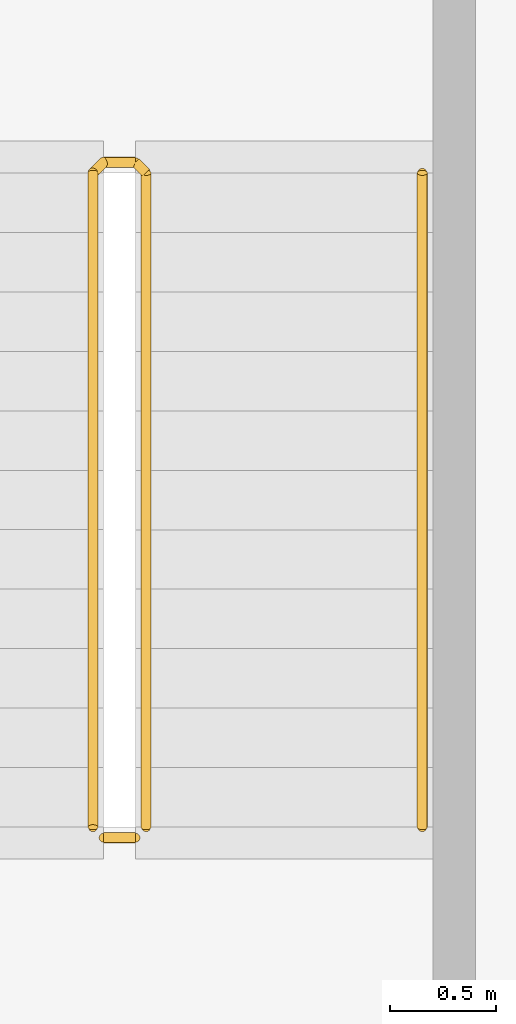
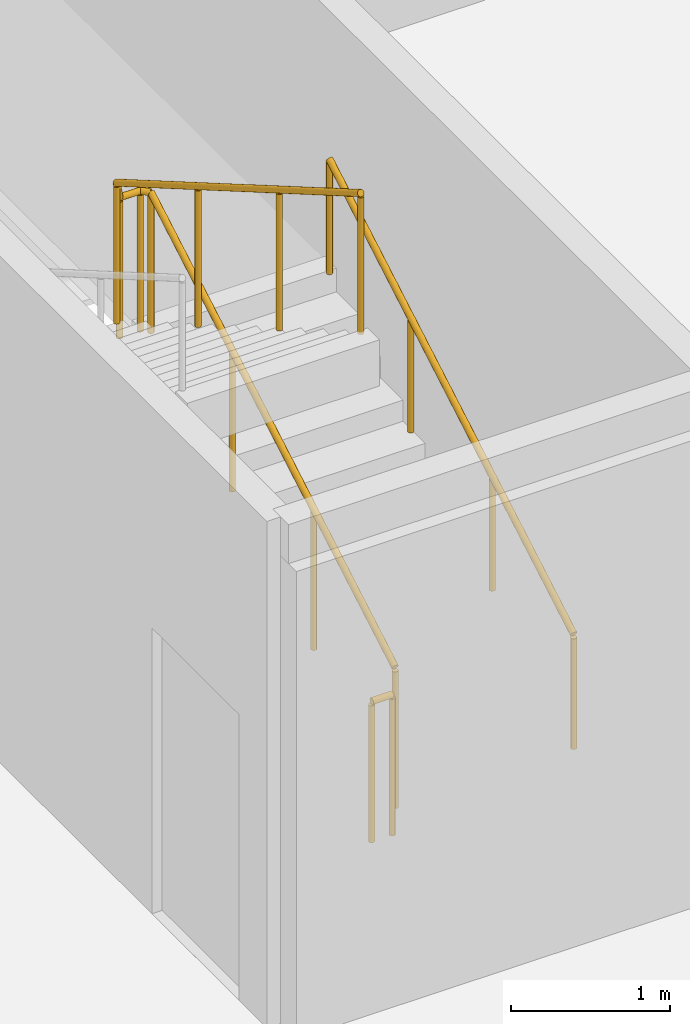
# One storey, part 25 of 27: 3 railings.
"""IFC4 building model written with IfcOpenShell, lengths in metres."""

from ifc_helpers import new_model, si_unit, direction, frame, origin, origin_2d, place, context, subcontext, project, spatial, circle, extrude, material, type_object, element, save


model = new_model("IFC4")

# Units and contexts
model_context = context("Model", 3, precision=1e-05, world=origin(), true_north=direction((0.0, 1.0)))
body_context = subcontext(model_context, "Body", "Model", "MODEL_VIEW")
ifc_project = project(units=[si_unit("LENGTHUNIT", "METRE"), si_unit("AREAUNIT", "SQUARE_METRE"), si_unit("VOLUMEUNIT", "CUBIC_METRE"), si_unit("PLANEANGLEUNIT", "RADIAN"), si_unit("MASSUNIT", "GRAM", prefix="KILO")], contexts=[model_context])

# Site, building, storey
site_placement = place(None, origin())
site = spatial("IfcSite", under=ifc_project, at=site_placement, CompositionType="ELEMENT")
building_placement = place(site_placement, origin())
building = spatial("IfcBuilding", under=site, at=building_placement, Name="Kheshtan School and Residences Tower", CompositionType="ELEMENT")
storey_placement = place(building_placement, frame((0.0, 0.0, 152.60009765625)))
storey = spatial("IfcBuildingStorey", under=building, at=storey_placement, Name="L35", CompositionType="ELEMENT", Elevation=152.60009765625)

# Railings
ifc_material_1 = material(Name="Stainless steel balustrade", Category="steel")
railing_type_1 = type_object("IfcRailingType", Name="Stair guard 1100", PredefinedType="GUARDRAIL", material=ifc_material_1)
railing_1_placement = place(storey_placement, frame((35.0, 80.89990234375, 0.162353515625)))
element("IfcRailing", 1, at=railing_1_placement, inside=storey, type_object=railing_type_1, Name="L35 ST3 stair guard 1", PredefinedType="GUARDRAIL", context=body_context, shape_type="SweptSolid", body=[
    extrude(circle(Radius=0.02392578125, at=origin_2d()), frame((0.0, 0.0, 1.076171875), z_axis=(0.0, 0.864890721111, 0.501960198159), x_axis=(-1.0, 0.0, 0.0)), (0.0, 0.0, 1.0), 3.561279296875),
    extrude(circle(Radius=0.02392578125, at=origin_2d()), frame((0.0, 3.080078125, 2.86376953125), z_axis=(-0.707106781187, 0.707106781187, 0.0), x_axis=(-0.707106781187, -0.707106781187, 0.0)), (0.0, 0.0, 1.0), 0.07080078125),
    extrude(circle(Radius=0.02392578125, at=origin_2d()), frame((-0.050048828125, 3.130126953125, 2.86376953125), z_axis=(-1.0, 0.0, 0.0), x_axis=(0.0, -1.0, 0.0)), (0.0, 0.0, 1.0), 0.14990234375),
    extrude(circle(Radius=0.02392578125, at=origin_2d()), frame((-0.199951171875, 3.130126953125, 2.86376953125), z_axis=(-0.282583949758, -0.282583949758, 0.916674763849), x_axis=(0.707106781187, -0.707106781187, 0.0)), (0.0, 0.0, 1.0), 0.177001953125),
    extrude(circle(Radius=0.02392578125, at=origin_2d()), frame((-0.25, 3.080078125, 3.02587890625), z_axis=(0.0, -0.864890721111, 0.501960198159), x_axis=(1.0, 0.0, 0.0)), (0.0, 0.0, 1.0), 3.561279296875),
    extrude(circle(Radius=0.02099609375, at=origin_2d()), origin(), (0.0, 0.0, 1.0), 1.052001953125),
    extrude(circle(Radius=0.02099609375, at=origin_2d()), frame((0.0, 1.026611328125, 0.595947265625)), (0.0, 0.0, 1.0), 1.052001953125),
    extrude(circle(Radius=0.02099609375, at=origin_2d()), frame((0.0, 2.053466796875, 1.191650390625)), (0.0, 0.0, 1.0), 1.052001953125),
    extrude(circle(Radius=0.02099609375, at=origin_2d()), frame((0.0, 3.080078125, 1.78759765625)), (0.0, 0.0, 1.0), 1.052001953125),
    extrude(circle(Radius=0.02099609375, at=origin_2d()), frame((-0.050048828125, 3.130126953125, 1.78759765625)), (0.0, 0.0, 1.0), 1.052001953125),
    extrude(circle(Radius=0.02099609375, at=origin_2d()), frame((-0.199951171875, 3.130126953125, 1.78759765625)), (0.0, 0.0, 1.0), 1.052001953125),
    extrude(circle(Radius=0.02099609375, at=origin_2d()), frame((-0.25, 3.080078125, 1.949951171875)), (0.0, 0.0, 1.0), 1.052001953125),
    extrude(circle(Radius=0.02099609375, at=origin_2d()), frame((-0.25, 2.053466796875, 2.5458984375)), (0.0, 0.0, 1.0), 1.052001953125),
    extrude(circle(Radius=0.02099609375, at=origin_2d()), frame((-0.25, 1.026611328125, 3.1416015625)), (0.0, 0.0, 1.0), 1.052001953125),
    extrude(circle(Radius=0.02099609375, at=origin_2d()), frame((-0.25, 0.0, 3.737548828125)), (0.0, 0.0, 1.0), 1.052001953125),
])
railing_2_placement = place(storey_placement, frame((34.949951171875, 80.85009765625, 0.0)))
element("IfcRailing", 2, at=railing_2_placement, inside=storey, type_object=railing_type_1, Name="L35 ST3 stair guard 2", PredefinedType="GUARDRAIL", context=body_context, shape_type="SweptSolid", body=[
    extrude(circle(Radius=0.02392578125, at=origin_2d()), frame((0.0, 0.0, 1.076171875), z_axis=(-1.0, 0.0, 0.0), x_axis=(0.0, -1.0, 0.0)), (0.0, 0.0, 1.0), 0.14990234375),
    extrude(circle(Radius=0.02099609375, at=origin_2d()), origin(), (0.0, 0.0, 1.0), 1.052001953125),
    extrude(circle(Radius=0.02099609375, at=origin_2d()), frame((-0.14990234375, 0.0, 0.0)), (0.0, 0.0, 1.0), 1.052001953125),
])
ifc_material_2 = material(Name="Stainless steel handrail", Category="steel")
railing_type_2 = type_object("IfcRailingType", Name="Stair handrail 900", PredefinedType="HANDRAIL", material=ifc_material_2)
railing_3_placement = place(storey_placement, frame((36.300048828125, 80.89990234375, 0.162353515625)))
element("IfcRailing", 3, at=railing_3_placement, inside=storey, type_object=railing_type_2, Name="L35 ST3 stair handrail 1", PredefinedType="HANDRAIL", context=body_context, shape_type="SweptSolid", body=[
    extrude(circle(Radius=0.02392578125, at=origin_2d()), frame((0.0, 0.0, 0.8759765625), z_axis=(0.0, 0.864890721111, 0.501960198159), x_axis=(-1.0, 0.0, 0.0)), (0.0, 0.0, 1.0), 3.561279296875),
    extrude(circle(Radius=0.02099609375, at=origin_2d()), origin(), (0.0, 0.0, 1.0), 0.851806640625),
    extrude(circle(Radius=0.02099609375, at=origin_2d()), frame((0.0, 1.026611328125, 0.595947265625)), (0.0, 0.0, 1.0), 0.851806640625),
    extrude(circle(Radius=0.02099609375, at=origin_2d()), frame((0.0, 2.053466796875, 1.191650390625)), (0.0, 0.0, 1.0), 0.851806640625),
    extrude(circle(Radius=0.02099609375, at=origin_2d()), frame((0.0, 3.080078125, 1.78759765625)), (0.0, 0.0, 1.0), 0.851806640625),
])

save(model, "model.ifc")
